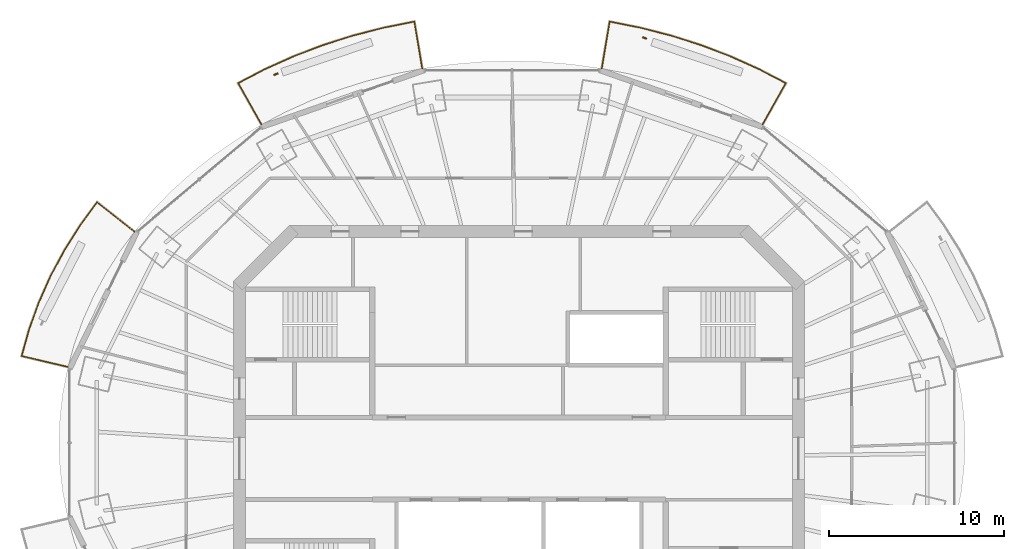
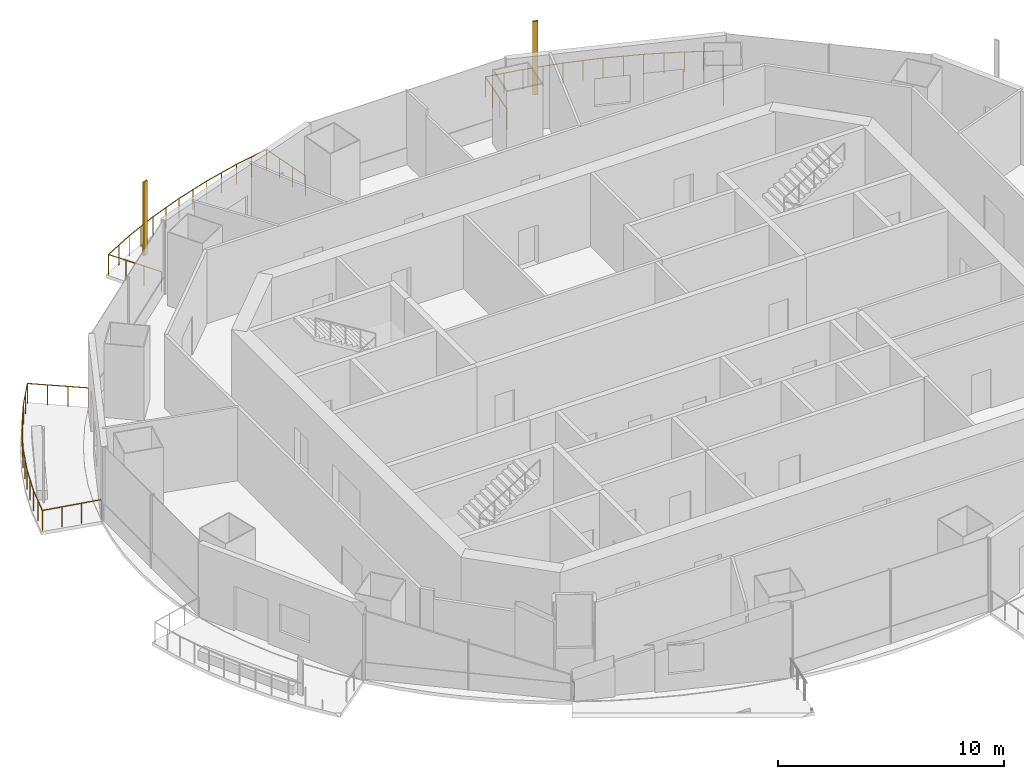
# One storey, part 14 of 16: 3 railings, 2 shading devices.
"""IFC4 building model written with IfcOpenShell, lengths in metres."""

from ifc_helpers import new_model, si_unit, direction, frame, origin, origin_2d, place, context, subcontext, project, spatial, rectangle, circle, extrude, material, material_profile, profile_set, type_object, element, save


model = new_model("IFC4")

# Units and contexts
model_context = context("Model", 3, precision=1e-05, world=origin(), true_north=direction((0.0, 1.0)))
body_context = subcontext(model_context, "Body", "Model", "MODEL_VIEW")
ifc_project = project(units=[si_unit("LENGTHUNIT", "METRE"), si_unit("AREAUNIT", "SQUARE_METRE"), si_unit("VOLUMEUNIT", "CUBIC_METRE"), si_unit("PLANEANGLEUNIT", "RADIAN"), si_unit("MASSUNIT", "GRAM", prefix="KILO")], contexts=[model_context])

# Site, building, storey
site_placement = place(None, origin())
site = spatial("IfcSite", under=ifc_project, at=site_placement, CompositionType="ELEMENT")
building_placement = place(site_placement, origin())
building = spatial("IfcBuilding", under=site, at=building_placement, Name="Marenthal Gate Tower", CompositionType="ELEMENT")
storey_placement = place(building_placement, frame((0.0, 0.0, 371.64990234375)))
storey = spatial("IfcBuildingStorey", under=building, at=storey_placement, Name="L84", CompositionType="ELEMENT", Elevation=371.64990234375)

# Railings
ifc_material_1 = material(Name="Stainless steel", Category="steel")
railing_type = type_object("IfcRailingType", Name="Balcony guard 1100", PredefinedType="GUARDRAIL", material=ifc_material_1)
railing_1_placement = place(storey_placement, frame((4.739990234375, 22.331787109375, 0.0)))
element("IfcRailing", 1, at=railing_1_placement, inside=storey, type_object=railing_type, Name="Balcony guard L84 bay 3", PredefinedType="GUARDRAIL", context=body_context, shape_type="SweptSolid", body=[
    extrude(circle(Radius=0.02392578125, at=origin_2d()), frame((0.0, 0.0, 1.076171875), z_axis=(0.165414674791, 0.986115589761, -0.014629729783), x_axis=(-0.986221135368, 0.165432379401, 0.0)), (0.0, 0.0, 1.0), 2.72021484375),
    extrude(circle(Radius=0.02392578125, at=origin_2d()), frame((0.449951171875, 2.682373046875, 1.0361328125), z_axis=(0.980989908715, -0.194058751412, 0.0), x_axis=(0.194058751412, 0.980989908715, 0.0)), (0.0, 0.0, 1.0), 1.757568359375),
    extrude(circle(Radius=0.02392578125, at=origin_2d()), frame((2.174072265625, 2.34130859375, 1.0361328125), z_axis=(0.968818339515, -0.247772123168, 0.0), x_axis=(0.247772123168, 0.968818339515, 0.0)), (0.0, 0.0, 1.0), 1.830810546875),
    extrude(circle(Radius=0.02392578125, at=origin_2d()), frame((3.94775390625, 1.8876953125, 1.0361328125), z_axis=(0.953152472364, -0.302490271623, 0.0), x_axis=(0.302490271623, 0.953152472364, 0.0)), (0.0, 0.0, 1.0), 1.822509765625),
    extrude(circle(Radius=0.02392578125, at=origin_2d()), frame((5.684814453125, 1.33642578125, 1.0361328125), z_axis=(0.934220833683, -0.356695155438, 0.0), x_axis=(0.356695155438, 0.934220833683, 0.0)), (0.0, 0.0, 1.0), 1.813232421875),
    extrude(circle(Radius=0.02392578125, at=origin_2d()), frame((7.378662109375, 0.689697265625, 1.0361328125), z_axis=(0.911738959801, -0.410770092851, 0.0), x_axis=(0.410770092851, 0.911738959801, 0.0)), (0.0, 0.0, 1.0), 1.802734375),
    extrude(circle(Radius=0.02392578125, at=origin_2d()), frame((9.022216796875, -0.05078125, 1.0361328125), z_axis=(0.886322623965, -0.463068252257, 0.0), x_axis=(0.463068252257, 0.886322623965, 0.0)), (0.0, 0.0, 1.0), 1.7109375),
    extrude(circle(Radius=0.02392578125, at=origin_2d()), frame((10.53857421875, -0.843017578125, 1.0361328125), z_axis=(-0.491022437076, -0.871024081854, 0.014629255574), x_axis=(0.871117302978, -0.491074988624, 0.0)), (0.0, 0.0, 1.0), 2.72021484375),
    extrude(circle(Radius=0.02099609375, at=origin_2d()), origin(), (0.0, 0.0, 1.0), 1.052001953125),
    extrude(circle(Radius=0.02099609375, at=origin_2d()), frame((0.14990234375, 0.89404296875, -0.01318359375)), (0.0, 0.0, 1.0), 1.052001953125),
    extrude(circle(Radius=0.02099609375, at=origin_2d()), frame((0.300048828125, 1.788330078125, -0.026611328125)), (0.0, 0.0, 1.0), 1.052001953125),
    extrude(circle(Radius=0.02099609375, at=origin_2d()), frame((0.449951171875, 2.682373046875, -0.039794921875)), (0.0, 0.0, 1.0), 1.052001953125),
    extrude(circle(Radius=0.02099609375, at=origin_2d()), frame((1.31201171875, 2.51171875, -0.039794921875)), (0.0, 0.0, 1.0), 1.052001953125),
    extrude(circle(Radius=0.02099609375, at=origin_2d()), frame((2.174072265625, 2.34130859375, -0.039794921875)), (0.0, 0.0, 1.0), 1.052001953125),
    extrude(circle(Radius=0.02099609375, at=origin_2d()), frame((3.06103515625, 2.114501953125, -0.039794921875)), (0.0, 0.0, 1.0), 1.052001953125),
    extrude(circle(Radius=0.02099609375, at=origin_2d()), frame((3.94775390625, 1.8876953125, -0.039794921875)), (0.0, 0.0, 1.0), 1.052001953125),
    extrude(circle(Radius=0.02099609375, at=origin_2d()), frame((4.81640625, 1.612060546875, -0.039794921875)), (0.0, 0.0, 1.0), 1.052001953125),
    extrude(circle(Radius=0.02099609375, at=origin_2d()), frame((5.684814453125, 1.33642578125, -0.039794921875)), (0.0, 0.0, 1.0), 1.052001953125),
    extrude(circle(Radius=0.02099609375, at=origin_2d()), frame((6.53173828125, 1.01318359375, -0.039794921875)), (0.0, 0.0, 1.0), 1.052001953125),
    extrude(circle(Radius=0.02099609375, at=origin_2d()), frame((7.378662109375, 0.689697265625, -0.039794921875)), (0.0, 0.0, 1.0), 1.052001953125),
    extrude(circle(Radius=0.02099609375, at=origin_2d()), frame((8.200439453125, 0.3193359375, -0.039794921875)), (0.0, 0.0, 1.0), 1.052001953125),
    extrude(circle(Radius=0.02099609375, at=origin_2d()), frame((9.022216796875, -0.05078125, -0.039794921875)), (0.0, 0.0, 1.0), 1.052001953125),
    extrude(circle(Radius=0.02099609375, at=origin_2d()), frame((9.7802734375, -0.44677734375, -0.039794921875)), (0.0, 0.0, 1.0), 1.052001953125),
    extrude(circle(Radius=0.02099609375, at=origin_2d()), frame((10.53857421875, -0.843017578125, -0.039794921875)), (0.0, 0.0, 1.0), 1.052001953125),
    extrude(circle(Radius=0.02099609375, at=origin_2d()), frame((10.09326171875, -1.6328125, -0.026611328125)), (0.0, 0.0, 1.0), 1.052001953125),
    extrude(circle(Radius=0.02099609375, at=origin_2d()), frame((9.648193359375, -2.422607421875, -0.01318359375)), (0.0, 0.0, 1.0), 1.052001953125),
    extrude(circle(Radius=0.02099609375, at=origin_2d()), frame((9.202880859375, -3.21240234375, 0.0)), (0.0, 0.0, 1.0), 1.052001953125),
])
railing_2_placement = place(storey_placement, frame((-14.742919921875, 19.119384765625, 0.0)))
element("IfcRailing", 2, at=railing_2_placement, inside=storey, type_object=railing_type, Name="Balcony guard L84 bay 5", PredefinedType="GUARDRAIL", context=body_context, shape_type="SweptSolid", body=[
    extrude(circle(Radius=0.02392578125, at=origin_2d()), frame((0.0, 0.0, 1.076171875), z_axis=(-0.491022437076, 0.871024081854, -0.014629255574), x_axis=(-0.871117302978, -0.491074988624, 0.0)), (0.0, 0.0, 1.0), 2.72021484375),
    extrude(circle(Radius=0.02392578125, at=origin_2d()), frame((-1.335693359375, 2.369384765625, 1.0361328125), z_axis=(0.886322623965, 0.463068252257, 0.0), x_axis=(-0.463068252257, 0.886322623965, 0.0)), (0.0, 0.0, 1.0), 1.7109375),
    extrude(circle(Radius=0.02392578125, at=origin_2d()), frame((0.1806640625, 3.16162109375, 1.0361328125), z_axis=(0.911738959801, 0.410770092851, 0.0), x_axis=(-0.410770092851, 0.911738959801, 0.0)), (0.0, 0.0, 1.0), 1.802734375),
    extrude(circle(Radius=0.02392578125, at=origin_2d()), frame((1.82421875, 3.902099609375, 1.0361328125), z_axis=(0.934220833683, 0.356695155438, 0.0), x_axis=(-0.356695155438, 0.934220833683, 0.0)), (0.0, 0.0, 1.0), 1.813232421875),
    extrude(circle(Radius=0.02392578125, at=origin_2d()), frame((3.51806640625, 4.548828125, 1.0361328125), z_axis=(0.953152472364, 0.302490271623, 0.0), x_axis=(-0.302490271623, 0.953152472364, 0.0)), (0.0, 0.0, 1.0), 1.822509765625),
    extrude(circle(Radius=0.02392578125, at=origin_2d()), frame((5.255126953125, 5.10009765625, 1.0361328125), z_axis=(0.968818339515, 0.247772123168, 0.0), x_axis=(-0.247772123168, 0.968818339515, 0.0)), (0.0, 0.0, 1.0), 1.830810546875),
    extrude(circle(Radius=0.02392578125, at=origin_2d()), frame((7.02880859375, 5.5537109375, 1.0361328125), z_axis=(0.980989908715, 0.194058751412, 0.0), x_axis=(-0.194058751412, 0.980989908715, 0.0)), (0.0, 0.0, 1.0), 1.757568359375),
    extrude(circle(Radius=0.02392578125, at=origin_2d()), frame((8.7529296875, 5.894775390625, 1.0361328125), z_axis=(0.165501969969, -0.986100945796, 0.01462951253), x_axis=(0.9862064867, 0.165519683396, 0.0)), (0.0, 0.0, 1.0), 2.72021484375),
    extrude(circle(Radius=0.02099609375, at=origin_2d()), origin(), (0.0, 0.0, 1.0), 1.052001953125),
    extrude(circle(Radius=0.02099609375, at=origin_2d()), frame((-0.4453125, 0.789794921875, -0.01318359375)), (0.0, 0.0, 1.0), 1.052001953125),
    extrude(circle(Radius=0.02099609375, at=origin_2d()), frame((-0.890380859375, 1.57958984375, -0.026611328125)), (0.0, 0.0, 1.0), 1.052001953125),
    extrude(circle(Radius=0.02099609375, at=origin_2d()), frame((-1.335693359375, 2.369384765625, -0.039794921875)), (0.0, 0.0, 1.0), 1.052001953125),
    extrude(circle(Radius=0.02099609375, at=origin_2d()), frame((-0.57763671875, 2.765625, -0.039794921875)), (0.0, 0.0, 1.0), 1.052001953125),
    extrude(circle(Radius=0.02099609375, at=origin_2d()), frame((0.1806640625, 3.16162109375, -0.039794921875)), (0.0, 0.0, 1.0), 1.052001953125),
    extrude(circle(Radius=0.02099609375, at=origin_2d()), frame((1.00244140625, 3.53173828125, -0.039794921875)), (0.0, 0.0, 1.0), 1.052001953125),
    extrude(circle(Radius=0.02099609375, at=origin_2d()), frame((1.82421875, 3.902099609375, -0.039794921875)), (0.0, 0.0, 1.0), 1.052001953125),
    extrude(circle(Radius=0.02099609375, at=origin_2d()), frame((2.671142578125, 4.2255859375, -0.039794921875)), (0.0, 0.0, 1.0), 1.052001953125),
    extrude(circle(Radius=0.02099609375, at=origin_2d()), frame((3.51806640625, 4.548828125, -0.039794921875)), (0.0, 0.0, 1.0), 1.052001953125),
    extrude(circle(Radius=0.02099609375, at=origin_2d()), frame((4.38671875, 4.824462890625, -0.039794921875)), (0.0, 0.0, 1.0), 1.052001953125),
    extrude(circle(Radius=0.02099609375, at=origin_2d()), frame((5.255126953125, 5.10009765625, -0.039794921875)), (0.0, 0.0, 1.0), 1.052001953125),
    extrude(circle(Radius=0.02099609375, at=origin_2d()), frame((6.14208984375, 5.326904296875, -0.039794921875)), (0.0, 0.0, 1.0), 1.052001953125),
    extrude(circle(Radius=0.02099609375, at=origin_2d()), frame((7.02880859375, 5.5537109375, -0.039794921875)), (0.0, 0.0, 1.0), 1.052001953125),
    extrude(circle(Radius=0.02099609375, at=origin_2d()), frame((7.890869140625, 5.72412109375, -0.039794921875)), (0.0, 0.0, 1.0), 1.052001953125),
    extrude(circle(Radius=0.02099609375, at=origin_2d()), frame((8.7529296875, 5.894775390625, -0.039794921875)), (0.0, 0.0, 1.0), 1.052001953125),
    extrude(circle(Radius=0.02099609375, at=origin_2d()), frame((8.903076171875, 5.000732421875, -0.026611328125)), (0.0, 0.0, 1.0), 1.052001953125),
    extrude(circle(Radius=0.02099609375, at=origin_2d()), frame((9.052978515625, 4.1064453125, -0.01318359375)), (0.0, 0.0, 1.0), 1.052001953125),
    extrude(circle(Radius=0.02099609375, at=origin_2d()), frame((9.203125, 3.21240234375, 0.0)), (0.0, 0.0, 1.0), 1.052001953125),
])
railing_3_placement = place(storey_placement, frame((-25.8251953125, 5.243408203125, 0.0)))
element("IfcRailing", 3, at=railing_3_placement, inside=storey, type_object=railing_type, Name="Balcony guard L84 bay 7", PredefinedType="GUARDRAIL", context=body_context, shape_type="SweptSolid", body=[
    extrude(circle(Radius=0.02392578125, at=origin_2d()), frame((0.0, 0.0, 1.076171875), z_axis=(-0.973223477667, 0.229394984223, -0.014628866365), x_axis=(-0.229419533855, -0.973327631112, 0.0)), (0.0, 0.0, 1.0), 2.72021484375),
    extrude(circle(Radius=0.02392578125, at=origin_2d()), frame((-2.6474609375, 0.6240234375, 1.0361328125), z_axis=(0.268420452005, 0.963301853494, 0.0), x_axis=(-0.963301853494, 0.268420452005, 0.0)), (0.0, 0.0, 1.0), 1.572509765625),
    extrude(circle(Radius=0.02392578125, at=origin_2d()), frame((-2.225341796875, 2.138916015625, 1.0361328125), z_axis=(0.338610035627, 0.940926800433, 0.0), x_axis=(-0.940926800433, 0.338610035627, 0.0)), (0.0, 0.0, 1.0), 1.658935546875),
    extrude(circle(Radius=0.02392578125, at=origin_2d()), frame((-1.66357421875, 3.699951171875, 1.0361328125), z_axis=(0.407605060016, 0.913158318721, 0.0), x_axis=(-0.913158318721, 0.407605060016, 0.0)), (0.0, 0.0, 1.0), 1.66748046875),
    extrude(circle(Radius=0.02392578125, at=origin_2d()), frame((-0.98388671875, 5.22265625, 1.0361328125), z_axis=(0.473457232822, 0.880816807679, 0.0), x_axis=(-0.880816807679, 0.473457232822, 0.0)), (0.0, 0.0, 1.0), 1.677001953125),
    extrude(circle(Radius=0.02392578125, at=origin_2d()), frame((-0.18994140625, 6.69970703125, 1.0361328125), z_axis=(0.535630087493, 0.844452727731, 0.0), x_axis=(-0.844452727731, 0.535630087493, 0.0)), (0.0, 0.0, 1.0), 1.687744140625),
    extrude(circle(Radius=0.02392578125, at=origin_2d()), frame((0.714111328125, 8.125, 1.0361328125), z_axis=(0.592180333089, 0.805805468524, 0.0), x_axis=(-0.805805468524, 0.592180333089, 0.0)), (0.0, 0.0, 1.0), 1.619384765625),
    extrude(circle(Radius=0.02392578125, at=origin_2d()), frame((1.673095703125, 9.429931640625, 1.0361328125), z_axis=(0.783892755075, -0.620723871548, 0.014629553364), x_axis=(0.620790307063, 0.783976654408, 0.0)), (0.0, 0.0, 1.0), 2.72021484375),
    extrude(circle(Radius=0.02099609375, at=origin_2d()), origin(), (0.0, 0.0, 1.0), 1.052001953125),
    extrude(circle(Radius=0.02099609375, at=origin_2d()), frame((-0.882568359375, 0.2080078125, -0.01318359375)), (0.0, 0.0, 1.0), 1.052001953125),
    extrude(circle(Radius=0.02099609375, at=origin_2d()), frame((-1.764892578125, 0.416015625, -0.026611328125)), (0.0, 0.0, 1.0), 1.052001953125),
    extrude(circle(Radius=0.02099609375, at=origin_2d()), frame((-2.6474609375, 0.6240234375, -0.039794921875)), (0.0, 0.0, 1.0), 1.052001953125),
    extrude(circle(Radius=0.02099609375, at=origin_2d()), frame((-2.4365234375, 1.38134765625, -0.039794921875)), (0.0, 0.0, 1.0), 1.052001953125),
    extrude(circle(Radius=0.02099609375, at=origin_2d()), frame((-2.225341796875, 2.138916015625, -0.039794921875)), (0.0, 0.0, 1.0), 1.052001953125),
    extrude(circle(Radius=0.02099609375, at=origin_2d()), frame((-1.9443359375, 2.91943359375, -0.039794921875)), (0.0, 0.0, 1.0), 1.052001953125),
    extrude(circle(Radius=0.02099609375, at=origin_2d()), frame((-1.66357421875, 3.699951171875, -0.039794921875)), (0.0, 0.0, 1.0), 1.052001953125),
    extrude(circle(Radius=0.02099609375, at=origin_2d()), frame((-1.32373046875, 4.46142578125, -0.039794921875)), (0.0, 0.0, 1.0), 1.052001953125),
    extrude(circle(Radius=0.02099609375, at=origin_2d()), frame((-0.98388671875, 5.22265625, -0.039794921875)), (0.0, 0.0, 1.0), 1.052001953125),
    extrude(circle(Radius=0.02099609375, at=origin_2d()), frame((-0.5869140625, 5.961181640625, -0.039794921875)), (0.0, 0.0, 1.0), 1.052001953125),
    extrude(circle(Radius=0.02099609375, at=origin_2d()), frame((-0.18994140625, 6.69970703125, -0.039794921875)), (0.0, 0.0, 1.0), 1.052001953125),
    extrude(circle(Radius=0.02099609375, at=origin_2d()), frame((0.26220703125, 7.412353515625, -0.039794921875)), (0.0, 0.0, 1.0), 1.052001953125),
    extrude(circle(Radius=0.02099609375, at=origin_2d()), frame((0.714111328125, 8.125, -0.039794921875)), (0.0, 0.0, 1.0), 1.052001953125),
    extrude(circle(Radius=0.02099609375, at=origin_2d()), frame((1.193603515625, 8.77734375, -0.039794921875)), (0.0, 0.0, 1.0), 1.052001953125),
    extrude(circle(Radius=0.02099609375, at=origin_2d()), frame((1.673095703125, 9.429931640625, -0.039794921875)), (0.0, 0.0, 1.0), 1.052001953125),
    extrude(circle(Radius=0.02099609375, at=origin_2d()), frame((2.3837890625, 8.8671875, -0.026611328125)), (0.0, 0.0, 1.0), 1.052001953125),
    extrude(circle(Radius=0.02099609375, at=origin_2d()), frame((3.0947265625, 8.30419921875, -0.01318359375)), (0.0, 0.0, 1.0), 1.052001953125),
    extrude(circle(Radius=0.02099609375, at=origin_2d()), frame((3.805419921875, 7.741455078125, 0.0)), (0.0, 0.0, 1.0), 1.052001953125),
])

# Shading devices
ifc_material_2 = material(Name="Terracotta", Category="masonry")
ifc_material_profile = material_profile(ifc_material_2, rectangle(XDim=0.25, YDim=0.080078125, at=origin_2d()), Name="Terracotta baguette 250x80")
ifc_profile_set = profile_set([ifc_material_profile], Name="Terracotta")
shading_device_type = type_object("IfcShadingDeviceType", Name="Terracotta BAGUETTE SCREEN 250x80", PredefinedType="USERDEFINED", material=ifc_profile_set)
for number, where, z_axis, x_axis, name in (
    (4, (7.192626953125, 24.072509765625, -0.039794921875), (0.0, 0.0, 1.0), (-0.944082187386, 0.329710211338, 0.0), "Terracotta BAGUETTE L84 bay 3R"),
    (5, (-13.913330078125, 22.0048828125, -0.039794921875), (0.0, 0.0, 1.0), (-0.944082187386, -0.329710211338, 0.0), "Terracotta BAGUETTE L84 bay 5R"),
):
    element("IfcShadingDevice", number, at=place(storey_placement, frame(where, z_axis=z_axis, x_axis=x_axis)), inside=storey, type_object=shading_device_type, Name=name, ObjectType="BAGUETTE SCREEN", PredefinedType="USERDEFINED", context=body_context, shape_type="SweptSolid", body=[
        extrude(rectangle(XDim=0.25, YDim=0.080078125, at=origin_2d()), origin(), (0.0, 0.0, 1.0), 3.969970703125),
    ])

save(model, "model.ifc")
